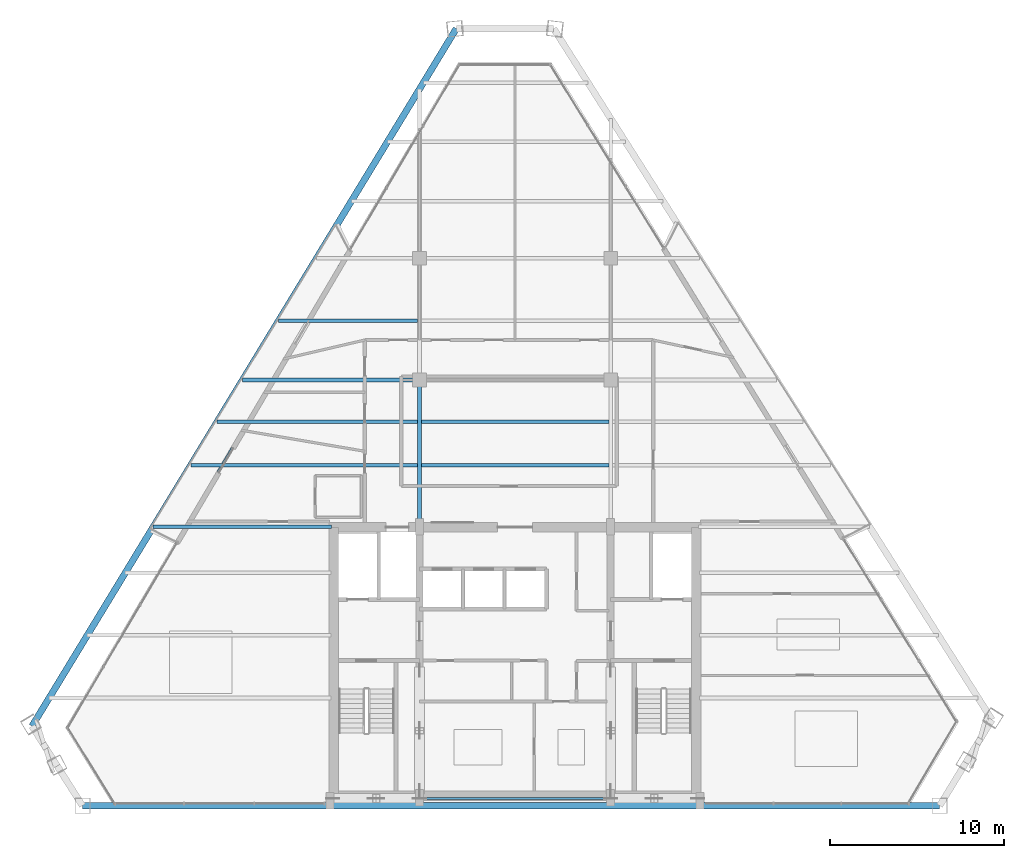
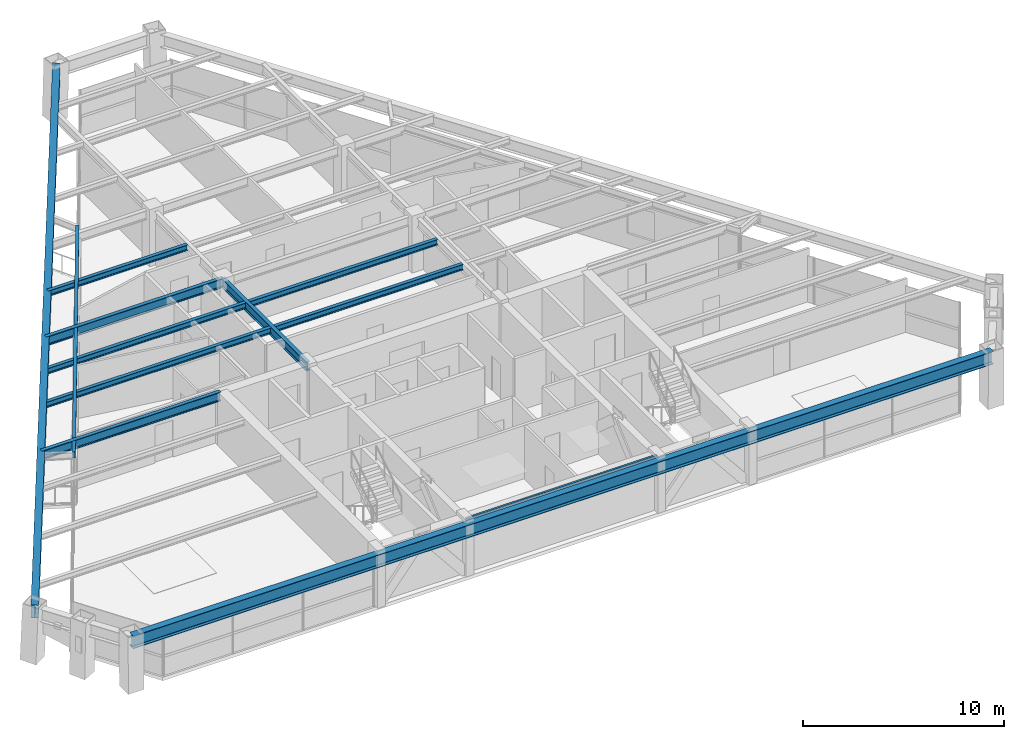
# One storey, part 3 of 13: 12 beams.
"""IFC4 building model written with IfcOpenShell, lengths in metres."""

from ifc_helpers import new_model, si_unit, direction, frame, origin, origin_2d, place, context, subcontext, project, spatial, i_section, extrude, source, transform, mapped, material, material_profile, profile_set, type_object, type_shapes, element, save


model = new_model("IFC4")

# Units and contexts
model_context = context("Model", 3, precision=1e-05, world=origin(), true_north=direction((0.0, 1.0)))
body_context = subcontext(model_context, "Body", "Model", "MODEL_VIEW")
ifc_project = project(units=[si_unit("LENGTHUNIT", "METRE"), si_unit("AREAUNIT", "SQUARE_METRE"), si_unit("VOLUMEUNIT", "CUBIC_METRE"), si_unit("PLANEANGLEUNIT", "RADIAN"), si_unit("MASSUNIT", "GRAM", prefix="KILO")], contexts=[model_context])

# Site, building, storey
site_placement = place(None, origin())
site = spatial("IfcSite", under=ifc_project, at=site_placement, CompositionType="ELEMENT")
building_placement = place(site_placement, origin())
building = spatial("IfcBuilding", under=site, at=building_placement, Name="Varnakhor Terracotta Tower", CompositionType="ELEMENT")
storey_placement = place(building_placement, frame((0.0, 0.0, 237.25)))
storey = spatial("IfcBuildingStorey", under=building, at=storey_placement, Name="L61", CompositionType="ELEMENT", Elevation=237.25)

# Beams
ifc_material = material(Name="Steel S355", Category="steel")
ifc_material_profile_1 = material_profile(ifc_material, i_section(OverallWidth=0.1201171875, OverallDepth=0.239990234375, WebThickness=0.006103515625, FlangeThickness=0.009765625, FilletRadius=0.01806640625, at=origin_2d()), Name="IPE240")
ifc_profile_set_1 = profile_set([ifc_material_profile_1], Name="Steel S355")
beam_type_1 = type_object("IfcBeamType", Name="LNT-IPE240", PredefinedType="LINTEL", material=ifc_profile_set_1)
shared_shape_1 = source(origin(), body_context, "Body", "SweptSolid", [
    extrude(i_section(OverallWidth=0.1201171875, OverallDepth=0.239990234375, WebThickness=0.006103515625, FlangeThickness=0.009765625, FilletRadius=0.01806640625, at=origin_2d()), origin(), (0.0, 0.0, 1.0), 11.0),
])
type_shapes(beam_type_1, [shared_shape_1])
beam_1_placement = place(storey_placement, frame((-5.5, 0.419921875, 3.1201171875), z_axis=(1.0, 0.0, 0.0), x_axis=(0.0, 1.0, 0.0)))
element("IfcBeam", 1, at=beam_1_placement, inside=storey, type_object=beam_type_1, Name="L61 Core South Coupling Lintel", PredefinedType="LINTEL", context=body_context, shape_type="MappedRepresentation", body=[
    mapped(shared_shape_1, transform((0.0, 0.0, 0.0), scale=1.0)),
])
ifc_material_profile_2 = material_profile(ifc_material, i_section(OverallWidth=0.214111328125, OverallDepth=0.549072265625, WebThickness=0.014892578125, FlangeThickness=0.02392578125, FilletRadius=0.01806640625, at=origin_2d()), Name="W21X93")
ifc_profile_set_2 = profile_set([ifc_material_profile_2], Name="Steel S355")
beam_type_2 = type_object("IfcBeamType", Name="BM-W21X93", PredefinedType="BEAM", material=ifc_profile_set_2)
shared_shape_2 = source(origin(), body_context, "Body", "SweptSolid", [
    extrude(i_section(OverallWidth=0.214111328125, OverallDepth=0.549072265625, WebThickness=0.014892578125, FlangeThickness=0.02392578125, FilletRadius=0.01806640625, at=origin_2d()), origin(), (0.0, 0.0, 1.0), 8.449951171875),
])
type_shapes(beam_type_2, [shared_shape_2])
beam_2_placement = place(storey_placement, frame((-5.5, 16.050048828125, 2.965576171875), z_axis=(0.0, 1.0, 0.0), x_axis=(-1.0, 0.0, 0.0)))
element("IfcBeam", 2, at=beam_2_placement, inside=storey, type_object=beam_type_2, Name="L61 Primary Girder NS1-W", PredefinedType="BEAM", context=body_context, shape_type="MappedRepresentation", body=[
    mapped(shared_shape_2, transform((0.0, 0.0, 0.0), scale=1.0)),
])
ifc_material_profile_3 = material_profile(ifc_material, i_section(OverallWidth=0.202880859375, OverallDepth=0.346923828125, WebThickness=0.0078125, FlangeThickness=0.013427734375, FilletRadius=0.01806640625, at=origin_2d()), Name="W14X43")
ifc_profile_set_3 = profile_set([ifc_material_profile_3], Name="Steel S355")
beam_type_3 = type_object("IfcBeamType", Name="JST-W14X43", PredefinedType="JOIST", material=ifc_profile_set_3)
shared_shape_3 = source(origin(), body_context, "Body", "SweptSolid", [
    extrude(i_section(OverallWidth=0.202880859375, OverallDepth=0.346923828125, WebThickness=0.0078125, FlangeThickness=0.013427734375, FilletRadius=0.01806640625, at=origin_2d()), origin(), (0.0, 0.0, 1.0), 10.7939453125),
])
for number, where, z_axis, x_axis, name in (
    (3, (-5.39697265625, 19.60009765625, 3.06640625), (1.0, 0.0, 0.0), (0.0, 1.0, 0.0), "L61 Composite Floor Joist 4-2"),
    (4, (-5.39697265625, 22.10009765625, 3.06640625), (1.0, 0.0, 0.0), (0.0, 1.0, 0.0), "L61 Composite Floor Joist 5-2"),
):
    element("IfcBeam", number, at=place(storey_placement, frame(where, z_axis=z_axis, x_axis=x_axis)), inside=storey, type_object=beam_type_3, Name=name, PredefinedType="JOIST", context=body_context, shape_type="MappedRepresentation", body=[
        mapped(shared_shape_3, transform((0.0, 0.0, 0.0), scale=1.0)),
    ])
ifc_material_profile_4 = material_profile(ifc_material, i_section(OverallWidth=0.381103515625, OverallDepth=0.77294921875, WebThickness=0.01708984375, FlangeThickness=0.027099609375, FilletRadius=0.01806640625, at=origin_2d()), Name="W30X173")
ifc_profile_set_4 = profile_set([ifc_material_profile_4], Name="Steel S355")
beam_type_4 = type_object("IfcBeamType", Name="BM-W30X173", PredefinedType="BEAM", material=ifc_profile_set_4)
shared_shape_4 = source(origin(), body_context, "Body", "SweptSolid", [
    extrude(i_section(OverallWidth=0.381103515625, OverallDepth=0.77294921875, WebThickness=0.01708984375, FlangeThickness=0.027099609375, FilletRadius=0.01806640625, at=origin_2d()), origin(), (0.0, 0.0, 1.0), 49.331298828125),
])
beam_3_placement = place(storey_placement, frame((-24.896484375, 0.0, 2.853515625), z_axis=(1.0, 0.0, 0.0), x_axis=(0.0, 1.0, 0.0)))
element("IfcBeam", 5, at=beam_3_placement, inside=storey, type_object=beam_type_4, Name="L61 Perimeter Spandrel 1", PredefinedType="BEAM", context=body_context, shape_type="MappedRepresentation", body=[
    mapped(shared_shape_4, transform((0.0, 0.0, 0.0), scale=1.0)),
])
shared_shape_5 = source(origin(), body_context, "Body", "SweptSolid", [
    extrude(i_section(OverallWidth=0.381103515625, OverallDepth=0.77294921875, WebThickness=0.01708984375, FlangeThickness=0.027099609375, FilletRadius=0.01806640625, at=origin_2d()), origin(), (0.0, 0.0, 1.0), 46.984375),
])
beam_4_placement = place(storey_placement, frame((-3.38330078125, 44.72021484375, 2.853515625), z_axis=(-0.519682510582, -0.854359460763, 0.0), x_axis=(0.854359460763, -0.519682510582, 0.0)))
element("IfcBeam", 6, at=beam_4_placement, inside=storey, type_object=beam_type_4, Name="L61 Perimeter Spandrel 6", PredefinedType="BEAM", context=body_context, shape_type="MappedRepresentation", body=[
    mapped(shared_shape_5, transform((0.0, 0.0, 0.0), scale=1.0)),
])
ifc_material_profile_5 = material_profile(ifc_material, i_section(OverallWidth=0.179931640625, OverallDepth=0.39990234375, WebThickness=0.008544921875, FlangeThickness=0.013427734375, FilletRadius=0.01806640625, at=origin_2d()), Name="IPE400")
ifc_profile_set_5 = profile_set([ifc_material_profile_5], Name="Steel S355")
beam_type_5 = type_object("IfcBeamType", Name="JST-IPE400", PredefinedType="JOIST", material=ifc_profile_set_5)
shared_shape_6 = source(origin(), body_context, "Body", "SweptSolid", [
    extrude(i_section(OverallWidth=0.179931640625, OverallDepth=0.39990234375, WebThickness=0.008544921875, FlangeThickness=0.013427734375, FilletRadius=0.01806640625, at=origin_2d()), origin(), (0.0, 0.0, 1.0), 19.60595703125),
])
beam_5_placement = place(storey_placement, frame((-9.51611328125, 32.0185546875, 3.0400390625), z_axis=(-0.507707822225, -0.861529318858, 0.0), x_axis=(0.861529318858, -0.507707822225, 0.0)))
element("IfcBeam", 7, at=beam_5_placement, inside=storey, type_object=beam_type_5, Name="L61 Loggia Edge Beam 2", PredefinedType="JOIST", context=body_context, shape_type="MappedRepresentation", body=[
    mapped(shared_shape_6, transform((0.0, 0.0, 0.0), scale=1.0)),
])
shared_shape_7 = source(origin(), body_context, "Body", "SweptSolid", [
    extrude(i_section(OverallWidth=0.214111328125, OverallDepth=0.549072265625, WebThickness=0.014892578125, FlangeThickness=0.02392578125, FilletRadius=0.01806640625, at=origin_2d()), origin(), (0.0, 0.0, 1.0), 10.2724609375),
])
beam_6_placement = place(storey_placement, frame((-20.822509765625, 16.050048828125, 2.965576171875), z_axis=(1.0, 0.0, 0.0), x_axis=(0.0, 1.0, 0.0)))
element("IfcBeam", 8, at=beam_6_placement, inside=storey, type_object=beam_type_2, Name="L61 Wing Girder W", PredefinedType="BEAM", context=body_context, shape_type="MappedRepresentation", body=[
    mapped(shared_shape_7, transform((0.0, 0.0, 0.0), scale=1.0)),
])
shared_shape_8 = source(origin(), body_context, "Body", "SweptSolid", [
    extrude(i_section(OverallWidth=0.214111328125, OverallDepth=0.549072265625, WebThickness=0.014892578125, FlangeThickness=0.02392578125, FilletRadius=0.01806640625, at=origin_2d()), origin(), (0.0, 0.0, 1.0), 10.1826171875),
])
beam_7_placement = place(storey_placement, frame((-15.6826171875, 24.5, 2.965576171875), z_axis=(1.0, 0.0, 0.0), x_axis=(0.0, 1.0, 0.0)))
element("IfcBeam", 9, at=beam_7_placement, inside=storey, type_object=beam_type_2, Name="L61 Primary Girder EW2-1", PredefinedType="BEAM", context=body_context, shape_type="MappedRepresentation", body=[
    mapped(shared_shape_8, transform((0.0, 0.0, 0.0), scale=1.0)),
])
shared_shape_9 = source(origin(), body_context, "Body", "SweptSolid", [
    extrude(i_section(OverallWidth=0.202880859375, OverallDepth=0.346923828125, WebThickness=0.0078125, FlangeThickness=0.013427734375, FilletRadius=0.01806640625, at=origin_2d()), origin(), (0.0, 0.0, 1.0), 13.06005859375),
])
beam_8_placement = place(storey_placement, frame((-18.6630859375, 19.60009765625, 3.06640625), z_axis=(1.0, 0.0, 0.0), x_axis=(0.0, 1.0, 0.0)))
element("IfcBeam", 10, at=beam_8_placement, inside=storey, type_object=beam_type_3, Name="L61 Composite Floor Joist 4-1", PredefinedType="JOIST", context=body_context, shape_type="MappedRepresentation", body=[
    mapped(shared_shape_9, transform((0.0, 0.0, 0.0), scale=1.0)),
])
shared_shape_10 = source(origin(), body_context, "Body", "SweptSolid", [
    extrude(i_section(OverallWidth=0.202880859375, OverallDepth=0.346923828125, WebThickness=0.0078125, FlangeThickness=0.013427734375, FilletRadius=0.01806640625, at=origin_2d()), origin(), (0.0, 0.0, 1.0), 11.53955078125),
])
beam_9_placement = place(storey_placement, frame((-17.142578125, 22.10009765625, 3.06640625), z_axis=(1.0, 0.0, 0.0), x_axis=(0.0, 1.0, 0.0)))
element("IfcBeam", 11, at=beam_9_placement, inside=storey, type_object=beam_type_3, Name="L61 Composite Floor Joist 5-1", PredefinedType="JOIST", context=body_context, shape_type="MappedRepresentation", body=[
    mapped(shared_shape_10, transform((0.0, 0.0, 0.0), scale=1.0)),
])
shared_shape_11 = source(origin(), body_context, "Body", "SweptSolid", [
    extrude(i_section(OverallWidth=0.202880859375, OverallDepth=0.346923828125, WebThickness=0.0078125, FlangeThickness=0.013427734375, FilletRadius=0.01806640625, at=origin_2d()), origin(), (0.0, 0.0, 1.0), 8.011474609375),
])
beam_10_placement = place(storey_placement, frame((-13.614501953125, 27.89990234375, 3.06640625), z_axis=(1.0, 0.0, 0.0), x_axis=(0.0, 1.0, 0.0)))
element("IfcBeam", 12, at=beam_10_placement, inside=storey, type_object=beam_type_3, Name="L61 Composite Floor Joist 6-1", PredefinedType="JOIST", context=body_context, shape_type="MappedRepresentation", body=[
    mapped(shared_shape_11, transform((0.0, 0.0, 0.0), scale=1.0)),
])

save(model, "model.ifc")
